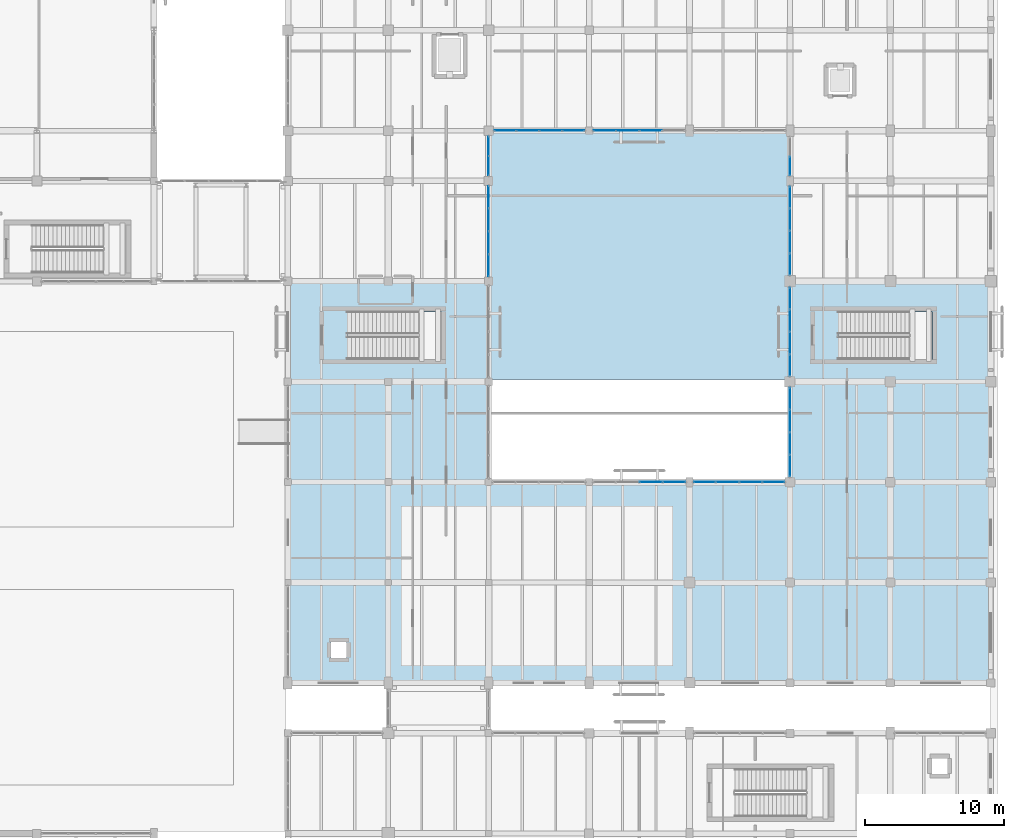
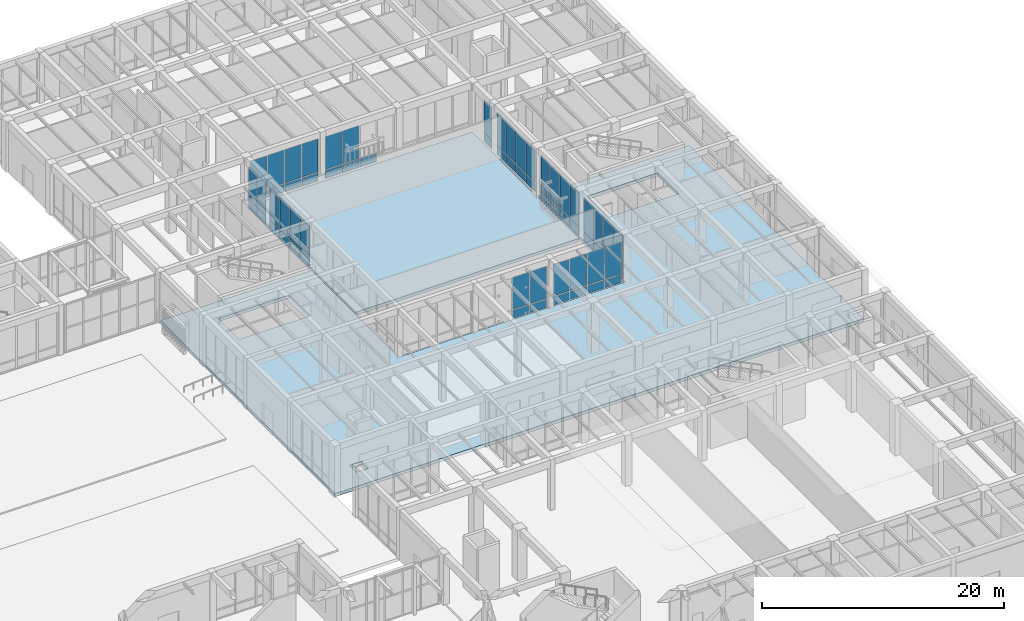
# One storey, part 118 of 169: 63 plates, 2 slabs, 10 elements without a shape of their own.
"""IFC4 building model written with IfcOpenShell, lengths in metres."""

import ifcopenshell
import ifcopenshell.guid

model = None  # the IFC model being written
_history = None  # IfcOwnerHistory: only IFC2X3 demands one
_inside = {}  # id of a spatial element -> (the spatial element, [elements in it])
_under = {}  # id of a project, library or spatial element -> (it, [spatial elements below it])
_declared = {}  # id of a project -> (the project, [libraries it declares])
_typed = {}  # id of a type object -> (the type object, [elements of that type])
_made_of = {}  # id of a material, layer set ... -> (it, [elements and type objects made of it])


def new_model(schema):
    """Start an empty IFC model of exactly this schema.

    Asked for "IFC4X3", IfcOpenShell would pick the latest addendum, in which some entities
    have other attributes; the version numbers below select the first issue.
    IFC2X3 requires an IfcOwnerHistory on every rooted entity: one is made here for all.
    """
    global model, _history
    if schema == "IFC4X3":
        model = ifcopenshell.file(schema_version=(4, 3, 0, 0))
    else:
        model = ifcopenshell.file(schema=schema)
    _inside.clear()
    _under.clear()
    _declared.clear()
    _typed.clear()
    _made_of.clear()
    _history = None
    if model.schema == "IFC2X3":
        org = make("IfcOrganization", Name="unknown")
        user = make(
            "IfcPersonAndOrganization",
            ThePerson=make("IfcPerson", FamilyName="unknown"),
            TheOrganization=org,
        )
        app = make(
            "IfcApplication",
            ApplicationDeveloper=org,
            Version="unknown",
            ApplicationFullName="unknown",
            ApplicationIdentifier="unknown",
        )
        _history = make(
            "IfcOwnerHistory",
            OwningUser=user,
            OwningApplication=app,
            ChangeAction="ADDED",
            CreationDate=0,
        )
    return model


def make(cls, **values):
    """One entity of the class cls with the attributes given. An attribute that is None is left unset."""
    return model.create_entity(
        cls, **{name: value for name, value in values.items() if value is not None}
    )


def rooted(cls, **values):
    """An entity with a GlobalId (a new one), such as an element, a storey or a relation."""
    return make(cls, GlobalId=ifcopenshell.guid.new(), OwnerHistory=_history, **values)


def si_unit(unit_type, name, prefix=None):
    """IfcSIUnit, for example si_unit("LENGTHUNIT", "METRE", prefix="MILLI")."""
    return make("IfcSIUnit", UnitType=unit_type, Prefix=prefix, Name=name)


def assignment(units):
    """IfcUnitAssignment: the units of a project."""
    return None if units is None else make("IfcUnitAssignment", Units=units)


def point(xyz):
    """IfcCartesianPoint."""
    return None if xyz is None else make("IfcCartesianPoint", Coordinates=xyz)


def direction(xyz):
    """IfcDirection."""
    return None if xyz is None else make("IfcDirection", DirectionRatios=xyz)


def frame(location, z_axis=None, x_axis=None):
    """IfcAxis2Placement3D, a coordinate frame: its origin and axes. An axis left out is left unset."""
    return make(
        "IfcAxis2Placement3D",
        Location=point(location),
        Axis=direction(z_axis),
        RefDirection=direction(x_axis),
    )


def frame_2d(location, x_axis=None):
    """IfcAxis2Placement2D, a coordinate frame in the plane: its origin and x axis."""
    return make(
        "IfcAxis2Placement2D", Location=point(location), RefDirection=direction(x_axis)
    )


def origin():
    """The frame at (0, 0, 0) with its axes left unset."""
    return frame((0.0, 0.0, 0.0))


def origin_2d():
    """The frame at (0, 0) in the plane with its x axis left unset."""
    return frame_2d((0.0, 0.0))


def place(relative_to, where):
    """IfcLocalPlacement: puts the frame where relative to a parent placement (None: the world)."""
    return make(
        "IfcLocalPlacement", PlacementRelTo=relative_to, RelativePlacement=where
    )


def context(
    kind, dimensions, precision=None, world=None, true_north=None, identifier=None
):
    """IfcGeometricRepresentationContext, for example the 3D "Model" context."""
    return make(
        "IfcGeometricRepresentationContext",
        ContextIdentifier=identifier,
        ContextType=kind,
        CoordinateSpaceDimension=dimensions,
        Precision=precision,
        WorldCoordinateSystem=world,
        TrueNorth=true_north,
    )


def subcontext(parent, identifier, kind, view, scale=None):
    """IfcGeometricRepresentationSubContext, for example "Body" below "Model"."""
    return make(
        "IfcGeometricRepresentationSubContext",
        ContextIdentifier=identifier,
        ContextType=kind,
        ParentContext=parent,
        TargetScale=scale,
        TargetView=view,
    )


def project(units=None, contexts=None):
    """IfcProject with its units and contexts."""
    return rooted(
        "IfcProject",
        Name="project",
        RepresentationContexts=contexts,
        UnitsInContext=assignment(units),
    )


def spatial(cls, under=None, at=None, **own):
    """A site, building, storey or space (cls), placed at a placement, below another one or the project."""
    s = rooted(cls, ObjectPlacement=at, **own)
    if under is not None:
        _under.setdefault(under.id(), (under, []))[1].append(s)
    return s


def polyline(points):
    """IfcPolyline through the points."""
    return make("IfcPolyline", Points=[point(p) for p in points])


def profile(cls, at=None, kind="AREA", **sizes):
    """A parametric profile (cls). Its sizes go by their IFC names, for example OverallWidth=200.0."""
    return make(cls, ProfileType=kind, Position=at, **sizes)


def rectangle(**sizes):
    """IfcRectangleProfileDef."""
    return profile("IfcRectangleProfileDef", **sizes)


def outline(outer, holes=None, kind="AREA"):
    """IfcArbitraryClosedProfileDef: a profile drawn as a closed curve; with holes, ...WithVoids."""
    if holes is None:
        return make("IfcArbitraryClosedProfileDef", ProfileType=kind, OuterCurve=outer)
    return make(
        "IfcArbitraryProfileDefWithVoids",
        ProfileType=kind,
        OuterCurve=outer,
        InnerCurves=holes,
    )


def extrude(swept, where, along, depth):
    """IfcExtrudedAreaSolid: the profile swept, set in the frame where, extruded along a direction by depth."""
    return make(
        "IfcExtrudedAreaSolid",
        SweptArea=swept,
        Position=where,
        ExtrudedDirection=direction(along),
        Depth=depth,
    )


def shape(context_of_items, identifier, shape_type, items):
    """IfcShapeRepresentation: the items that make up one representation, for example the "Body"."""
    return make(
        "IfcShapeRepresentation",
        ContextOfItems=context_of_items,
        RepresentationIdentifier=identifier,
        RepresentationType=shape_type,
        Items=items,
    )


def material(Name=None, Category=None):
    """IfcMaterial."""
    return make("IfcMaterial", Name=Name, Category=Category)


def layer(
    of_material, thickness, ventilated=None, Name=None, Category=None, Priority=None
):
    """IfcMaterialLayer: one layer of a wall or slab, of a material (None: an air gap)."""
    return make(
        "IfcMaterialLayer",
        Material=of_material,
        LayerThickness=thickness,
        IsVentilated=ventilated,
        Name=Name,
        Category=Category,
        Priority=Priority,
    )


def layer_set(layers, Name=None):
    """IfcMaterialLayerSet."""
    return make("IfcMaterialLayerSet", MaterialLayers=layers, LayerSetName=Name)


def made_of(thing, what):
    """Note that an element or type object is made of a material, layer set ...; save() writes the relation."""
    if what is not None:
        _made_of.setdefault(what.id(), (what, []))[1].append(thing)
    return thing


def type_object(cls, material=None, **own):
    """A type object (cls), such as IfcWallType, which elements share."""
    return made_of(rooted(cls, **own), material)


def element(
    cls,
    number,
    at=None,
    inside=None,
    cuts=None,
    type_object=None,
    material=None,
    context=None,
    identifier="Body",
    shape_type=None,
    held_by="IfcProductDefinitionShape",
    body=None,
    shapes=None,
    **own,
):
    """One element of the class cls, such as IfcWall. Its Tag is "e" and its number.

    at: its placement. inside: the storey or other place that contains it. cuts: it is an
    opening in that element (IfcRelVoidsElement). A single representation is given by context,
    identifier, shape_type and body (its items); several are given by shapes. held_by: the class
    of the entity that holds the representations. save() writes the other relations.
    """
    e = rooted(cls, Tag="e%d" % number, ObjectPlacement=at, **own)
    if body is not None:
        shapes = [shape(context, identifier, shape_type, body)]
    if shapes is not None:
        e.Representation = make(held_by, Representations=shapes)
    if inside is not None:
        _inside.setdefault(inside.id(), (inside, []))[1].append(e)
    if cuts is not None:
        rooted(
            "IfcRelVoidsElement", RelatingBuildingElement=cuts, RelatedOpeningElement=e
        )
    if type_object is not None:
        _typed.setdefault(type_object.id(), (type_object, []))[1].append(e)
    return made_of(e, material)


def aggregate(whole, parts):
    """IfcRelAggregates: a whole, such as a stair, and the parts it consists of."""
    return rooted("IfcRelAggregates", RelatingObject=whole, RelatedObjects=parts)


def save(model, path):
    """Write the relations noted so far, then the file.

    IfcRelAggregates (storeys below a building ...), IfcRelContainedInSpatialStructure (elements
    in a storey), IfcRelDefinesByType, IfcRelAssociatesMaterial and IfcRelDeclares: one each for
    every whole, place, type object, material and project.
    """
    for whole, parts in _under.values():
        aggregate(whole, parts)
    for where, things in _inside.values():
        rooted(
            "IfcRelContainedInSpatialStructure",
            RelatedElements=things,
            RelatingStructure=where,
        )
    for kind, things in _typed.values():
        rooted("IfcRelDefinesByType", RelatedObjects=things, RelatingType=kind)
    for what, things in _made_of.values():
        rooted("IfcRelAssociatesMaterial", RelatedObjects=things, RelatingMaterial=what)
    for by, libraries in _declared.values():
        rooted("IfcRelDeclares", RelatingContext=by, RelatedDefinitions=libraries)
    model.write(path)


model = new_model("IFC4")

# Units and contexts
model_context = context("Model", 3, precision=1e-05, world=origin(), true_north=direction((0.0, 1.0)))
body_context = subcontext(model_context, "Body", "Model", "MODEL_VIEW")
ifc_project = project(units=[si_unit("LENGTHUNIT", "METRE"), si_unit("AREAUNIT", "SQUARE_METRE"), si_unit("VOLUMEUNIT", "CUBIC_METRE"), si_unit("PLANEANGLEUNIT", "RADIAN"), si_unit("MASSUNIT", "GRAM", prefix="KILO")], contexts=[model_context])

# Site, building, storey
site_placement = place(None, origin())
site = spatial("IfcSite", under=ifc_project, at=site_placement, CompositionType="ELEMENT")
building_placement = place(site_placement, origin())
building = spatial("IfcBuilding", under=site, at=building_placement, Name="Mazaris Harbour Polytechnic", CompositionType="ELEMENT")
storey_placement = place(building_placement, origin())
storey = spatial("IfcBuildingStorey", under=building, at=storey_placement, Name="L00", CompositionType="ELEMENT", Elevation=0.0)

# Slabs
ifc_material_1 = material(Name="Concrete C35/45", Category="concrete")
ifc_layer_1 = layer(ifc_material_1, 0.300048828125, Name="Concrete C35/45")
ifc_layer_set_1 = layer_set([ifc_layer_1], Name="Concrete C35/45")
slab_type_1 = type_object("IfcSlabType", Name="RC Podium Slab 300 Exterior", PredefinedType="FLOOR", material=ifc_layer_set_1)
slab_1_placement = place(storey_placement, frame((0.0, 0.0, -0.300048828125)))
element("IfcSlab", 1, at=slab_1_placement, inside=storey, type_object=slab_type_1, Name="V5 Studio Courtyard Paving Slab", PredefinedType="FLOOR", context=body_context, shape_type="SweptSolid", body=[
    extrude(outline(polyline([(158.25, 68.550048828125), (158.25, 86.25), (136.949951171875, 86.25), (136.949951171875, 68.550048828125), (158.25, 68.550048828125)])), origin(), (0.0, 0.0, 1.0), 0.300048828125),
])
ifc_material_2 = material(Name="Concrete C35/45", Category="concrete")
ifc_layer_2 = layer(ifc_material_2, 0.320068359375, Name="Concrete C35/45")
ifc_layer_set_2 = layer_set([ifc_layer_2], Name="Concrete C35/45")
slab_type_2 = type_object("IfcSlabType", Name="RC Podium Slab 320", PredefinedType="FLOOR", material=ifc_layer_set_2)
slab_2_placement = place(storey_placement, frame((0.0, 0.0, -0.320068359375)))
element("IfcSlab", 2, at=slab_2_placement, inside=storey, type_object=slab_type_2, Name="V5 L00 Floor Slab", PredefinedType="FLOOR", context=body_context, shape_type="SweptSolid", body=[
    extrude(outline(polyline([(172.800048828125, 46.800048828125), (122.39990234375, 46.800048828125), (122.39990234375, 75.60009765625), (136.800048828125, 75.60009765625), (136.800048828125, 61.199951171875), (158.39990234375, 61.199951171875), (158.39990234375, 75.60009765625), (172.800048828125, 75.60009765625), (172.800048828125, 46.800048828125)]), holes=[polyline([(126.675048828125, 70.0), (133.39990234375, 70.0), (133.39990234375, 73.449951171875), (126.675048828125, 73.449951171875), (126.675048828125, 70.0)]), polyline([(161.875, 73.449951171875), (161.875, 70.0), (168.60009765625, 70.0), (168.60009765625, 73.449951171875), (161.875, 73.449951171875)]), polyline([(125.5, 48.60009765625), (126.6201171875, 48.60009765625), (126.6201171875, 49.719970703125), (125.5, 49.719970703125), (125.5, 48.60009765625)])]), origin(), (0.0, 0.0, 1.0), 0.320068359375),
])

# Curtain wall, plates
ifc_material_3 = material(Name="Anodised Bronze Aluminium and Low-E Glass", Category="aluminium")
ifc_layer_3 = layer(ifc_material_3, 0.169921875, Name="Anodised Bronze Aluminium and Low-E Glass")
ifc_layer_set_3 = layer_set([ifc_layer_3], Name="Anodised Bronze Aluminium and Low-E Glass")
curtain_wall_type = type_object("IfcCurtainWallType", Name="Studio North-Light Curtain Wall", PredefinedType="NOTDEFINED", material=ifc_layer_set_3)
curtain_wall_1_placement = place(storey_placement, origin())
curtain_wall_1 = element("IfcCurtainWall", 3, at=curtain_wall_1_placement, inside=storey, type_object=curtain_wall_type, Name="V5 L00 Curtain Wall 192", PredefinedType="NOTDEFINED")
ifc_material_4 = material(Name="Solar-Control Low-E Glazing", Category="glass")
ifc_layer_4 = layer(ifc_material_4, 0.031982421875, Name="Solar-Control Low-E Glazing")
ifc_layer_set_4 = layer_set([ifc_layer_4], Name="Solar-Control Low-E Glazing")
plate_type = type_object("IfcPlateType", Name="Solar Control Studio Glass Panel 32", PredefinedType="CURTAIN_PANEL", material=ifc_layer_set_4)
plate_1_placement = place(storey_placement, frame((148.439453125, 61.199951171875, 0.080078125), z_axis=(0.0, 0.0, 1.0), x_axis=(1.0, 0.0, 0.0)))
plate_1 = element("IfcPlate", 4, at=plate_1_placement, type_object=plate_type, Name="CW-03 panel 3.1", PredefinedType="CURTAIN_PANEL", context=body_context, shape_type="SweptSolid", body=[
    extrude(rectangle(XDim=1.59912109375, YDim=0.031982421875, at=origin_2d()), origin(), (0.0, 0.0, 1.0), 0.830078125),
])
plate_2_placement = place(storey_placement, frame((148.439453125, 61.199951171875, 0.989990234375), z_axis=(0.0, 0.0, 1.0), x_axis=(1.0, 0.0, 0.0)))
plate_2 = element("IfcPlate", 5, at=plate_2_placement, type_object=plate_type, Name="CW-03 panel 3.2", PredefinedType="CURTAIN_PANEL", context=body_context, shape_type="SweptSolid", body=[
    extrude(rectangle(XDim=1.59912109375, YDim=0.031982421875, at=origin_2d()), origin(), (0.0, 0.0, 1.0), 3.27001953125),
])
plate_3_placement = place(storey_placement, frame((150.098388671875, 61.199951171875, 0.080078125), z_axis=(0.0, 0.0, 1.0), x_axis=(1.0, 0.0, 0.0)))
plate_3 = element("IfcPlate", 6, at=plate_3_placement, type_object=plate_type, Name="CW-03 panel 4.1", PredefinedType="CURTAIN_PANEL", context=body_context, shape_type="SweptSolid", body=[
    extrude(rectangle(XDim=1.55908203125, YDim=0.031982421875, at=origin_2d()), origin(), (0.0, 0.0, 1.0), 0.830078125),
])
plate_4_placement = place(storey_placement, frame((150.098388671875, 61.199951171875, 0.989990234375), z_axis=(0.0, 0.0, 1.0), x_axis=(1.0, 0.0, 0.0)))
plate_4 = element("IfcPlate", 7, at=plate_4_placement, type_object=plate_type, Name="CW-03 panel 4.2", PredefinedType="CURTAIN_PANEL", context=body_context, shape_type="SweptSolid", body=[
    extrude(rectangle(XDim=1.55908203125, YDim=0.031982421875, at=origin_2d()), origin(), (0.0, 0.0, 1.0), 3.27001953125),
])
aggregate(curtain_wall_1, [plate_1, plate_2, plate_3, plate_4])

curtain_wall_2_placement = place(storey_placement, origin())
curtain_wall_2 = element("IfcCurtainWall", 8, at=curtain_wall_2_placement, inside=storey, type_object=curtain_wall_type, Name="V5 L00 Curtain Wall 193", PredefinedType="NOTDEFINED")
plate_5_placement = place(storey_placement, frame((152.2890625, 61.199951171875, 0.080078125), z_axis=(0.0, 0.0, 1.0), x_axis=(1.0, 0.0, 0.0)))
plate_5 = element("IfcPlate", 9, at=plate_5_placement, type_object=plate_type, Name="CW-03 panel 1.1", PredefinedType="CURTAIN_PANEL", context=body_context, shape_type="SweptSolid", body=[
    extrude(rectangle(XDim=1.533935546875, YDim=0.031982421875, at=origin_2d()), origin(), (0.0, 0.0, 1.0), 0.830078125),
])
plate_6_placement = place(storey_placement, frame((152.2890625, 61.199951171875, 0.990234375), z_axis=(0.0, 0.0, 1.0), x_axis=(1.0, 0.0, 0.0)))
plate_6 = element("IfcPlate", 10, at=plate_6_placement, type_object=plate_type, Name="CW-03 panel 1.2", PredefinedType="CURTAIN_PANEL", context=body_context, shape_type="SweptSolid", body=[
    extrude(rectangle(XDim=1.533935546875, YDim=0.031982421875, at=origin_2d()), origin(), (0.0, 0.0, 1.0), 3.219970703125),
])
plate_7_placement = place(storey_placement, frame((153.923095703125, 61.199951171875, 0.080078125), z_axis=(0.0, 0.0, 1.0), x_axis=(1.0, 0.0, 0.0)))
plate_7 = element("IfcPlate", 11, at=plate_7_placement, type_object=plate_type, Name="CW-03 panel 2.1", PredefinedType="CURTAIN_PANEL", context=body_context, shape_type="SweptSolid", body=[
    extrude(rectangle(XDim=1.573974609375, YDim=0.031982421875, at=origin_2d()), origin(), (0.0, 0.0, 1.0), 0.830078125),
])
plate_8_placement = place(storey_placement, frame((153.923095703125, 61.199951171875, 0.990234375), z_axis=(0.0, 0.0, 1.0), x_axis=(1.0, 0.0, 0.0)))
plate_8 = element("IfcPlate", 12, at=plate_8_placement, type_object=plate_type, Name="CW-03 panel 2.2", PredefinedType="CURTAIN_PANEL", context=body_context, shape_type="SweptSolid", body=[
    extrude(rectangle(XDim=1.573974609375, YDim=0.031982421875, at=origin_2d()), origin(), (0.0, 0.0, 1.0), 3.219970703125),
])
plate_9_placement = place(storey_placement, frame((155.576904296875, 61.199951171875, 0.080078125), z_axis=(0.0, 0.0, 1.0), x_axis=(1.0, 0.0, 0.0)))
plate_9 = element("IfcPlate", 13, at=plate_9_placement, type_object=plate_type, Name="CW-03 panel 3.1", PredefinedType="CURTAIN_PANEL", context=body_context, shape_type="SweptSolid", body=[
    extrude(rectangle(XDim=1.573974609375, YDim=0.031982421875, at=origin_2d()), origin(), (0.0, 0.0, 1.0), 0.830078125),
])
plate_10_placement = place(storey_placement, frame((155.576904296875, 61.199951171875, 0.990234375), z_axis=(0.0, 0.0, 1.0), x_axis=(1.0, 0.0, 0.0)))
plate_10 = element("IfcPlate", 14, at=plate_10_placement, type_object=plate_type, Name="CW-03 panel 3.2", PredefinedType="CURTAIN_PANEL", context=body_context, shape_type="SweptSolid", body=[
    extrude(rectangle(XDim=1.573974609375, YDim=0.031982421875, at=origin_2d()), origin(), (0.0, 0.0, 1.0), 3.219970703125),
])
plate_11_placement = place(storey_placement, frame((157.2109375, 61.199951171875, 0.080078125), z_axis=(0.0, 0.0, 1.0), x_axis=(1.0, 0.0, 0.0)))
plate_11 = element("IfcPlate", 15, at=plate_11_placement, type_object=plate_type, Name="CW-03 panel 4.1", PredefinedType="CURTAIN_PANEL", context=body_context, shape_type="SweptSolid", body=[
    extrude(rectangle(XDim=1.533935546875, YDim=0.031982421875, at=origin_2d()), origin(), (0.0, 0.0, 1.0), 0.830078125),
])
plate_12_placement = place(storey_placement, frame((157.2109375, 61.199951171875, 0.990234375), z_axis=(0.0, 0.0, 1.0), x_axis=(1.0, 0.0, 0.0)))
plate_12 = element("IfcPlate", 16, at=plate_12_placement, type_object=plate_type, Name="CW-03 panel 4.2", PredefinedType="CURTAIN_PANEL", context=body_context, shape_type="SweptSolid", body=[
    extrude(rectangle(XDim=1.533935546875, YDim=0.031982421875, at=origin_2d()), origin(), (0.0, 0.0, 1.0), 3.219970703125),
])
aggregate(curtain_wall_2, [plate_5, plate_6, plate_7, plate_8, plate_9, plate_10, plate_11, plate_12])

curtain_wall_3_placement = place(storey_placement, origin())
curtain_wall_3 = element("IfcCurtainWall", 17, at=curtain_wall_3_placement, inside=storey, type_object=curtain_wall_type, Name="V5 L00 Curtain Wall 194", PredefinedType="NOTDEFINED")
plate_13_placement = place(storey_placement, frame((142.88916015625, 86.39990234375, 0.080078125), z_axis=(0.0, 0.0, 1.0), x_axis=(-1.0, 0.0, 0.0)))
plate_13 = element("IfcPlate", 18, at=plate_13_placement, type_object=plate_type, Name="CW-03 panel 1.1", PredefinedType="CURTAIN_PANEL", context=body_context, shape_type="SweptSolid", body=[
    extrude(rectangle(XDim=1.52783203125, YDim=0.031982421875, at=origin_2d()), origin(), (0.0, 0.0, 1.0), 0.830078125),
])
plate_14_placement = place(storey_placement, frame((142.88916015625, 86.39990234375, 0.989990234375), z_axis=(0.0, 0.0, 1.0), x_axis=(-1.0, 0.0, 0.0)))
plate_14 = element("IfcPlate", 19, at=plate_14_placement, type_object=plate_type, Name="CW-03 panel 1.2", PredefinedType="CURTAIN_PANEL", context=body_context, shape_type="SweptSolid", body=[
    extrude(rectangle(XDim=1.52783203125, YDim=0.031982421875, at=origin_2d()), origin(), (0.0, 0.0, 1.0), 3.3701171875),
])
plate_15_placement = place(storey_placement, frame((141.261474609375, 86.39990234375, 0.080078125), z_axis=(0.0, 0.0, 1.0), x_axis=(-1.0, 0.0, 0.0)))
plate_15 = element("IfcPlate", 20, at=plate_15_placement, type_object=plate_type, Name="CW-03 panel 2.1", PredefinedType="CURTAIN_PANEL", context=body_context, shape_type="SweptSolid", body=[
    extrude(rectangle(XDim=1.56787109375, YDim=0.031982421875, at=origin_2d()), origin(), (0.0, 0.0, 1.0), 0.830078125),
])
plate_16_placement = place(storey_placement, frame((141.261474609375, 86.39990234375, 0.989990234375), z_axis=(0.0, 0.0, 1.0), x_axis=(-1.0, 0.0, 0.0)))
plate_16 = element("IfcPlate", 21, at=plate_16_placement, type_object=plate_type, Name="CW-03 panel 2.2", PredefinedType="CURTAIN_PANEL", context=body_context, shape_type="SweptSolid", body=[
    extrude(rectangle(XDim=1.56787109375, YDim=0.031982421875, at=origin_2d()), origin(), (0.0, 0.0, 1.0), 3.3701171875),
])
plate_17_placement = place(storey_placement, frame((139.613525390625, 86.39990234375, 0.080078125), z_axis=(0.0, 0.0, 1.0), x_axis=(-1.0, 0.0, 0.0)))
plate_17 = element("IfcPlate", 22, at=plate_17_placement, type_object=plate_type, Name="CW-03 panel 3.1", PredefinedType="CURTAIN_PANEL", context=body_context, shape_type="SweptSolid", body=[
    extrude(rectangle(XDim=1.56787109375, YDim=0.031982421875, at=origin_2d()), origin(), (0.0, 0.0, 1.0), 0.830078125),
])
plate_18_placement = place(storey_placement, frame((139.613525390625, 86.39990234375, 0.989990234375), z_axis=(0.0, 0.0, 1.0), x_axis=(-1.0, 0.0, 0.0)))
plate_18 = element("IfcPlate", 23, at=plate_18_placement, type_object=plate_type, Name="CW-03 panel 3.2", PredefinedType="CURTAIN_PANEL", context=body_context, shape_type="SweptSolid", body=[
    extrude(rectangle(XDim=1.56787109375, YDim=0.031982421875, at=origin_2d()), origin(), (0.0, 0.0, 1.0), 3.3701171875),
])
plate_19_placement = place(storey_placement, frame((137.98583984375, 86.39990234375, 0.080078125), z_axis=(0.0, 0.0, 1.0), x_axis=(-1.0, 0.0, 0.0)))
plate_19 = element("IfcPlate", 24, at=plate_19_placement, type_object=plate_type, Name="CW-03 panel 4.1", PredefinedType="CURTAIN_PANEL", context=body_context, shape_type="SweptSolid", body=[
    extrude(rectangle(XDim=1.52783203125, YDim=0.031982421875, at=origin_2d()), origin(), (0.0, 0.0, 1.0), 0.830078125),
])
plate_20_placement = place(storey_placement, frame((137.98583984375, 86.39990234375, 0.989990234375), z_axis=(0.0, 0.0, 1.0), x_axis=(-1.0, 0.0, 0.0)))
plate_20 = element("IfcPlate", 25, at=plate_20_placement, type_object=plate_type, Name="CW-03 panel 4.2", PredefinedType="CURTAIN_PANEL", context=body_context, shape_type="SweptSolid", body=[
    extrude(rectangle(XDim=1.52783203125, YDim=0.031982421875, at=origin_2d()), origin(), (0.0, 0.0, 1.0), 3.3701171875),
])
aggregate(curtain_wall_3, [plate_13, plate_14, plate_15, plate_16, plate_17, plate_18, plate_19, plate_20])

curtain_wall_4_placement = place(storey_placement, origin())
curtain_wall_4 = element("IfcCurtainWall", 26, at=curtain_wall_4_placement, inside=storey, type_object=curtain_wall_type, Name="V5 L00 Curtain Wall 195", PredefinedType="NOTDEFINED")
plate_21_placement = place(storey_placement, frame((148.417724609375, 86.39990234375, 0.080078125), z_axis=(0.0, 0.0, 1.0), x_axis=(-1.0, 0.0, 0.0)))
plate_21 = element("IfcPlate", 27, at=plate_21_placement, type_object=plate_type, Name="CW-03 panel 2.1", PredefinedType="CURTAIN_PANEL", context=body_context, shape_type="SweptSolid", body=[
    extrude(rectangle(XDim=1.580322265625, YDim=0.031982421875, at=origin_2d()), origin(), (0.0, 0.0, 1.0), 0.830078125),
])
plate_22_placement = place(storey_placement, frame((146.75732421875, 86.39990234375, 0.080078125), z_axis=(0.0, 0.0, 1.0), x_axis=(-1.0, 0.0, 0.0)))
plate_22 = element("IfcPlate", 28, at=plate_22_placement, type_object=plate_type, Name="CW-03 panel 3.1", PredefinedType="CURTAIN_PANEL", context=body_context, shape_type="SweptSolid", body=[
    extrude(rectangle(XDim=1.580322265625, YDim=0.031982421875, at=origin_2d()), origin(), (0.0, 0.0, 1.0), 0.830078125),
])
plate_23_placement = place(storey_placement, frame((146.75732421875, 86.39990234375, 0.98974609375), z_axis=(0.0, 0.0, 1.0), x_axis=(-1.0, 0.0, 0.0)))
plate_23 = element("IfcPlate", 29, at=plate_23_placement, type_object=plate_type, Name="CW-03 panel 3.2", PredefinedType="CURTAIN_PANEL", context=body_context, shape_type="SweptSolid", body=[
    extrude(rectangle(XDim=1.580322265625, YDim=0.031982421875, at=origin_2d()), origin(), (0.0, 0.0, 1.0), 3.320068359375),
])
plate_24_placement = place(storey_placement, frame((145.1171875, 86.39990234375, 0.080078125), z_axis=(0.0, 0.0, 1.0), x_axis=(-1.0, 0.0, 0.0)))
plate_24 = element("IfcPlate", 30, at=plate_24_placement, type_object=plate_type, Name="CW-03 panel 4.1", PredefinedType="CURTAIN_PANEL", context=body_context, shape_type="SweptSolid", body=[
    extrude(rectangle(XDim=1.540283203125, YDim=0.031982421875, at=origin_2d()), origin(), (0.0, 0.0, 1.0), 0.830078125),
])
plate_25_placement = place(storey_placement, frame((145.1171875, 86.39990234375, 0.98974609375), z_axis=(0.0, 0.0, 1.0), x_axis=(-1.0, 0.0, 0.0)))
plate_25 = element("IfcPlate", 31, at=plate_25_placement, type_object=plate_type, Name="CW-03 panel 4.2", PredefinedType="CURTAIN_PANEL", context=body_context, shape_type="SweptSolid", body=[
    extrude(rectangle(XDim=1.540283203125, YDim=0.031982421875, at=origin_2d()), origin(), (0.0, 0.0, 1.0), 3.320068359375),
])
aggregate(curtain_wall_4, [plate_21, plate_22, plate_23, plate_24, plate_25])

curtain_wall_5_placement = place(storey_placement, origin())
curtain_wall_5 = element("IfcCurtainWall", 32, at=curtain_wall_5_placement, inside=storey, type_object=curtain_wall_type, Name="V5 L00 Curtain Wall 199", PredefinedType="NOTDEFINED")
plate_26_placement = place(storey_placement, frame((136.800048828125, 76.73583984375, 0.080078125), z_axis=(0.0, 0.0, 1.0), x_axis=(0.0, 1.0, 0.0)))
plate_26 = element("IfcPlate", 33, at=plate_26_placement, type_object=plate_type, Name="CW-03 panel 1.1", PredefinedType="CURTAIN_PANEL", context=body_context, shape_type="SweptSolid", body=[
    extrude(rectangle(XDim=1.52783203125, YDim=0.031982421875, at=origin_2d()), origin(), (0.0, 0.0, 1.0), 0.830078125),
])
plate_27_placement = place(storey_placement, frame((136.800048828125, 76.73583984375, 0.989990234375), z_axis=(0.0, 0.0, 1.0), x_axis=(0.0, 1.0, 0.0)))
plate_27 = element("IfcPlate", 34, at=plate_27_placement, type_object=plate_type, Name="CW-03 panel 1.2", PredefinedType="CURTAIN_PANEL", context=body_context, shape_type="SweptSolid", body=[
    extrude(rectangle(XDim=1.52783203125, YDim=0.031982421875, at=origin_2d()), origin(), (0.0, 0.0, 1.0), 3.27001953125),
])
plate_28_placement = place(storey_placement, frame((136.800048828125, 78.363525390625, 0.080078125), z_axis=(0.0, 0.0, 1.0), x_axis=(0.0, 1.0, 0.0)))
plate_28 = element("IfcPlate", 35, at=plate_28_placement, type_object=plate_type, Name="CW-03 panel 2.1", PredefinedType="CURTAIN_PANEL", context=body_context, shape_type="SweptSolid", body=[
    extrude(rectangle(XDim=1.56787109375, YDim=0.031982421875, at=origin_2d()), origin(), (0.0, 0.0, 1.0), 0.830078125),
])
plate_29_placement = place(storey_placement, frame((136.800048828125, 78.363525390625, 0.989990234375), z_axis=(0.0, 0.0, 1.0), x_axis=(0.0, 1.0, 0.0)))
plate_29 = element("IfcPlate", 36, at=plate_29_placement, type_object=plate_type, Name="CW-03 panel 2.2", PredefinedType="CURTAIN_PANEL", context=body_context, shape_type="SweptSolid", body=[
    extrude(rectangle(XDim=1.56787109375, YDim=0.031982421875, at=origin_2d()), origin(), (0.0, 0.0, 1.0), 3.27001953125),
])
plate_30_placement = place(storey_placement, frame((136.800048828125, 80.011474609375, 0.080078125), z_axis=(0.0, 0.0, 1.0), x_axis=(0.0, 1.0, 0.0)))
plate_30 = element("IfcPlate", 37, at=plate_30_placement, type_object=plate_type, Name="CW-03 panel 3.1", PredefinedType="CURTAIN_PANEL", context=body_context, shape_type="SweptSolid", body=[
    extrude(rectangle(XDim=1.56787109375, YDim=0.031982421875, at=origin_2d()), origin(), (0.0, 0.0, 1.0), 0.830078125),
])
plate_31_placement = place(storey_placement, frame((136.800048828125, 80.011474609375, 0.989990234375), z_axis=(0.0, 0.0, 1.0), x_axis=(0.0, 1.0, 0.0)))
plate_31 = element("IfcPlate", 38, at=plate_31_placement, type_object=plate_type, Name="CW-03 panel 3.2", PredefinedType="CURTAIN_PANEL", context=body_context, shape_type="SweptSolid", body=[
    extrude(rectangle(XDim=1.56787109375, YDim=0.031982421875, at=origin_2d()), origin(), (0.0, 0.0, 1.0), 3.27001953125),
])
plate_32_placement = place(storey_placement, frame((136.800048828125, 81.63916015625, 0.080078125), z_axis=(0.0, 0.0, 1.0), x_axis=(0.0, 1.0, 0.0)))
plate_32 = element("IfcPlate", 39, at=plate_32_placement, type_object=plate_type, Name="CW-03 panel 4.1", PredefinedType="CURTAIN_PANEL", context=body_context, shape_type="SweptSolid", body=[
    extrude(rectangle(XDim=1.52783203125, YDim=0.031982421875, at=origin_2d()), origin(), (0.0, 0.0, 1.0), 0.830078125),
])
plate_33_placement = place(storey_placement, frame((136.800048828125, 81.63916015625, 0.989990234375), z_axis=(0.0, 0.0, 1.0), x_axis=(0.0, 1.0, 0.0)))
plate_33 = element("IfcPlate", 40, at=plate_33_placement, type_object=plate_type, Name="CW-03 panel 4.2", PredefinedType="CURTAIN_PANEL", context=body_context, shape_type="SweptSolid", body=[
    extrude(rectangle(XDim=1.52783203125, YDim=0.031982421875, at=origin_2d()), origin(), (0.0, 0.0, 1.0), 3.27001953125),
])
aggregate(curtain_wall_5, [plate_26, plate_27, plate_28, plate_29, plate_30, plate_31, plate_32, plate_33])

curtain_wall_6_placement = place(storey_placement, origin())
curtain_wall_6 = element("IfcCurtainWall", 41, at=curtain_wall_6_placement, inside=storey, type_object=curtain_wall_type, Name="V5 L00 Curtain Wall 200", PredefinedType="NOTDEFINED")
plate_34_placement = place(storey_placement, frame((136.800048828125, 83.872314453125, 0.080078125), z_axis=(0.0, 0.0, 1.0), x_axis=(0.0, 1.0, 0.0)))
plate_34 = element("IfcPlate", 42, at=plate_34_placement, type_object=plate_type, Name="CW-03 panel 1.1", PredefinedType="CURTAIN_PANEL", context=body_context, shape_type="SweptSolid", body=[
    extrude(rectangle(XDim=1.3505859375, YDim=0.031982421875, at=origin_2d()), origin(), (0.0, 0.0, 1.0), 0.830078125),
])
plate_35_placement = place(storey_placement, frame((136.800048828125, 83.872314453125, 0.990234375), z_axis=(0.0, 0.0, 1.0), x_axis=(0.0, 1.0, 0.0)))
plate_35 = element("IfcPlate", 43, at=plate_35_placement, type_object=plate_type, Name="CW-03 panel 1.2", PredefinedType="CURTAIN_PANEL", context=body_context, shape_type="SweptSolid", body=[
    extrude(rectangle(XDim=1.3505859375, YDim=0.031982421875, at=origin_2d()), origin(), (0.0, 0.0, 1.0), 3.219970703125),
])
plate_36_placement = place(storey_placement, frame((136.800048828125, 85.302734375, 0.080078125), z_axis=(0.0, 0.0, 1.0), x_axis=(0.0, 1.0, 0.0)))
plate_36 = element("IfcPlate", 44, at=plate_36_placement, type_object=plate_type, Name="CW-03 panel 2.1", PredefinedType="CURTAIN_PANEL", context=body_context, shape_type="SweptSolid", body=[
    extrude(rectangle(XDim=1.3505859375, YDim=0.031982421875, at=origin_2d()), origin(), (0.0, 0.0, 1.0), 0.830078125),
])
plate_37_placement = place(storey_placement, frame((136.800048828125, 85.302734375, 0.990234375), z_axis=(0.0, 0.0, 1.0), x_axis=(0.0, 1.0, 0.0)))
plate_37 = element("IfcPlate", 45, at=plate_37_placement, type_object=plate_type, Name="CW-03 panel 2.2", PredefinedType="CURTAIN_PANEL", context=body_context, shape_type="SweptSolid", body=[
    extrude(rectangle(XDim=1.3505859375, YDim=0.031982421875, at=origin_2d()), origin(), (0.0, 0.0, 1.0), 3.219970703125),
])
aggregate(curtain_wall_6, [plate_34, plate_35, plate_36, plate_37])

curtain_wall_7_placement = place(storey_placement, origin())
curtain_wall_7 = element("IfcCurtainWall", 46, at=curtain_wall_7_placement, inside=storey, type_object=curtain_wall_type, Name="V5 L00 Curtain Wall 201", PredefinedType="NOTDEFINED")
plate_38_placement = place(storey_placement, frame((158.39990234375, 67.20166015625, 0.080078125), z_axis=(0.0, 0.0, 1.0), x_axis=(0.0, -1.0, 0.0)))
plate_38 = element("IfcPlate", 47, at=plate_38_placement, type_object=plate_type, Name="CW-03 panel 1.1", PredefinedType="CURTAIN_PANEL", context=body_context, shape_type="SweptSolid", body=[
    extrude(rectangle(XDim=1.502685546875, YDim=0.031982421875, at=origin_2d()), origin(), (0.0, 0.0, 1.0), 0.830078125),
])
plate_39_placement = place(storey_placement, frame((158.39990234375, 67.20166015625, 0.989990234375), z_axis=(0.0, 0.0, 1.0), x_axis=(0.0, -1.0, 0.0)))
plate_39 = element("IfcPlate", 48, at=plate_39_placement, type_object=plate_type, Name="CW-03 panel 1.2", PredefinedType="CURTAIN_PANEL", context=body_context, shape_type="SweptSolid", body=[
    extrude(rectangle(XDim=1.502685546875, YDim=0.031982421875, at=origin_2d()), origin(), (0.0, 0.0, 1.0), 3.419921875),
])
plate_40_placement = place(storey_placement, frame((158.39990234375, 65.598876953125, 0.080078125), z_axis=(0.0, 0.0, 1.0), x_axis=(0.0, -1.0, 0.0)))
plate_40 = element("IfcPlate", 49, at=plate_40_placement, type_object=plate_type, Name="CW-03 panel 2.1", PredefinedType="CURTAIN_PANEL", context=body_context, shape_type="SweptSolid", body=[
    extrude(rectangle(XDim=1.542724609375, YDim=0.031982421875, at=origin_2d()), origin(), (0.0, 0.0, 1.0), 0.830078125),
])
plate_41_placement = place(storey_placement, frame((158.39990234375, 65.598876953125, 0.989990234375), z_axis=(0.0, 0.0, 1.0), x_axis=(0.0, -1.0, 0.0)))
plate_41 = element("IfcPlate", 50, at=plate_41_placement, type_object=plate_type, Name="CW-03 panel 2.2", PredefinedType="CURTAIN_PANEL", context=body_context, shape_type="SweptSolid", body=[
    extrude(rectangle(XDim=1.542724609375, YDim=0.031982421875, at=origin_2d()), origin(), (0.0, 0.0, 1.0), 3.419921875),
])
plate_42_placement = place(storey_placement, frame((158.39990234375, 63.97607421875, 0.080078125), z_axis=(0.0, 0.0, 1.0), x_axis=(0.0, -1.0, 0.0)))
plate_42 = element("IfcPlate", 51, at=plate_42_placement, type_object=plate_type, Name="CW-03 panel 3.1", PredefinedType="CURTAIN_PANEL", context=body_context, shape_type="SweptSolid", body=[
    extrude(rectangle(XDim=1.542724609375, YDim=0.031982421875, at=origin_2d()), origin(), (0.0, 0.0, 1.0), 0.830078125),
])
plate_43_placement = place(storey_placement, frame((158.39990234375, 63.97607421875, 0.989990234375), z_axis=(0.0, 0.0, 1.0), x_axis=(0.0, -1.0, 0.0)))
plate_43 = element("IfcPlate", 52, at=plate_43_placement, type_object=plate_type, Name="CW-03 panel 3.2", PredefinedType="CURTAIN_PANEL", context=body_context, shape_type="SweptSolid", body=[
    extrude(rectangle(XDim=1.542724609375, YDim=0.031982421875, at=origin_2d()), origin(), (0.0, 0.0, 1.0), 3.419921875),
])
plate_44_placement = place(storey_placement, frame((158.39990234375, 62.373291015625, 0.080078125), z_axis=(0.0, 0.0, 1.0), x_axis=(0.0, -1.0, 0.0)))
plate_44 = element("IfcPlate", 53, at=plate_44_placement, type_object=plate_type, Name="CW-03 panel 4.1", PredefinedType="CURTAIN_PANEL", context=body_context, shape_type="SweptSolid", body=[
    extrude(rectangle(XDim=1.502685546875, YDim=0.031982421875, at=origin_2d()), origin(), (0.0, 0.0, 1.0), 0.830078125),
])
plate_45_placement = place(storey_placement, frame((158.39990234375, 62.373291015625, 0.989990234375), z_axis=(0.0, 0.0, 1.0), x_axis=(0.0, -1.0, 0.0)))
plate_45 = element("IfcPlate", 54, at=plate_45_placement, type_object=plate_type, Name="CW-03 panel 4.2", PredefinedType="CURTAIN_PANEL", context=body_context, shape_type="SweptSolid", body=[
    extrude(rectangle(XDim=1.502685546875, YDim=0.031982421875, at=origin_2d()), origin(), (0.0, 0.0, 1.0), 3.419921875),
])
aggregate(curtain_wall_7, [plate_38, plate_39, plate_40, plate_41, plate_42, plate_43, plate_44, plate_45])

curtain_wall_8_placement = place(storey_placement, origin())
curtain_wall_8 = element("IfcCurtainWall", 55, at=curtain_wall_8_placement, inside=storey, type_object=curtain_wall_type, Name="V5 L00 Curtain Wall 202", PredefinedType="NOTDEFINED")
plate_46_placement = place(storey_placement, frame((158.39990234375, 74.3828125, 0.080078125), z_axis=(0.0, 0.0, 1.0), x_axis=(0.0, -1.0, 0.0)))
plate_46 = element("IfcPlate", 56, at=plate_46_placement, type_object=plate_type, Name="CW-03 panel 1.1", PredefinedType="CURTAIN_PANEL", context=body_context, shape_type="SweptSolid", body=[
    extrude(rectangle(XDim=1.490234375, YDim=0.031982421875, at=origin_2d()), origin(), (0.0, 0.0, 1.0), 0.830078125),
])
plate_47_placement = place(storey_placement, frame((158.39990234375, 74.3828125, 0.989990234375), z_axis=(0.0, 0.0, 1.0), x_axis=(0.0, -1.0, 0.0)))
plate_47 = element("IfcPlate", 57, at=plate_47_placement, type_object=plate_type, Name="CW-03 panel 1.2", PredefinedType="CURTAIN_PANEL", context=body_context, shape_type="SweptSolid", body=[
    extrude(rectangle(XDim=1.490234375, YDim=0.031982421875, at=origin_2d()), origin(), (0.0, 0.0, 1.0), 3.3701171875),
])
plate_48_placement = place(storey_placement, frame((158.39990234375, 72.792724609375, 0.080078125), z_axis=(0.0, 0.0, 1.0), x_axis=(0.0, -1.0, 0.0)))
plate_48 = element("IfcPlate", 58, at=plate_48_placement, type_object=plate_type, Name="CW-03 panel 2.1", PredefinedType="CURTAIN_PANEL", context=body_context, shape_type="SweptSolid", body=[
    extrude(rectangle(XDim=1.5302734375, YDim=0.031982421875, at=origin_2d()), origin(), (0.0, 0.0, 1.0), 0.830078125),
])
plate_49_placement = place(storey_placement, frame((158.39990234375, 72.792724609375, 0.989990234375), z_axis=(0.0, 0.0, 1.0), x_axis=(0.0, -1.0, 0.0)))
plate_49 = element("IfcPlate", 59, at=plate_49_placement, type_object=plate_type, Name="CW-03 panel 2.2", PredefinedType="CURTAIN_PANEL", context=body_context, shape_type="SweptSolid", body=[
    extrude(rectangle(XDim=1.5302734375, YDim=0.031982421875, at=origin_2d()), origin(), (0.0, 0.0, 1.0), 3.3701171875),
])
plate_50_placement = place(storey_placement, frame((158.39990234375, 71.182373046875, 0.080078125), z_axis=(0.0, 0.0, 1.0), x_axis=(0.0, -1.0, 0.0)))
plate_50 = element("IfcPlate", 60, at=plate_50_placement, type_object=plate_type, Name="CW-03 panel 3.1", PredefinedType="CURTAIN_PANEL", context=body_context, shape_type="SweptSolid", body=[
    extrude(rectangle(XDim=1.5302734375, YDim=0.031982421875, at=origin_2d()), origin(), (0.0, 0.0, 1.0), 0.830078125),
])
plate_51_placement = place(storey_placement, frame((158.39990234375, 71.182373046875, 0.989990234375), z_axis=(0.0, 0.0, 1.0), x_axis=(0.0, -1.0, 0.0)))
plate_51 = element("IfcPlate", 61, at=plate_51_placement, type_object=plate_type, Name="CW-03 panel 3.2", PredefinedType="CURTAIN_PANEL", context=body_context, shape_type="SweptSolid", body=[
    extrude(rectangle(XDim=1.5302734375, YDim=0.031982421875, at=origin_2d()), origin(), (0.0, 0.0, 1.0), 3.3701171875),
])
plate_52_placement = place(storey_placement, frame((158.39990234375, 69.592041015625, 0.080078125), z_axis=(0.0, 0.0, 1.0), x_axis=(0.0, -1.0, 0.0)))
plate_52 = element("IfcPlate", 62, at=plate_52_placement, type_object=plate_type, Name="CW-03 panel 4.1", PredefinedType="CURTAIN_PANEL", context=body_context, shape_type="SweptSolid", body=[
    extrude(rectangle(XDim=1.490234375, YDim=0.031982421875, at=origin_2d()), origin(), (0.0, 0.0, 1.0), 0.830078125),
])
plate_53_placement = place(storey_placement, frame((158.39990234375, 69.592041015625, 0.989990234375), z_axis=(0.0, 0.0, 1.0), x_axis=(0.0, -1.0, 0.0)))
plate_53 = element("IfcPlate", 63, at=plate_53_placement, type_object=plate_type, Name="CW-03 panel 4.2", PredefinedType="CURTAIN_PANEL", context=body_context, shape_type="SweptSolid", body=[
    extrude(rectangle(XDim=1.490234375, YDim=0.031982421875, at=origin_2d()), origin(), (0.0, 0.0, 1.0), 3.3701171875),
])
aggregate(curtain_wall_8, [plate_46, plate_47, plate_48, plate_49, plate_50, plate_51, plate_52, plate_53])

curtain_wall_9_placement = place(storey_placement, origin())
curtain_wall_9 = element("IfcCurtainWall", 64, at=curtain_wall_9_placement, inside=storey, type_object=curtain_wall_type, Name="V5 L00 Curtain Wall 203", PredefinedType="NOTDEFINED")
plate_54_placement = place(storey_placement, frame((158.39990234375, 81.629638671875, 0.080078125), z_axis=(0.0, 0.0, 1.0), x_axis=(0.0, -1.0, 0.0)))
plate_54 = element("IfcPlate", 65, at=plate_54_placement, type_object=plate_type, Name="CW-03 panel 1.1", PredefinedType="CURTAIN_PANEL", context=body_context, shape_type="SweptSolid", body=[
    extrude(rectangle(XDim=1.49658203125, YDim=0.031982421875, at=origin_2d()), origin(), (0.0, 0.0, 1.0), 0.830078125),
])
plate_55_placement = place(storey_placement, frame((158.39990234375, 81.629638671875, 0.98974609375), z_axis=(0.0, 0.0, 1.0), x_axis=(0.0, -1.0, 0.0)))
plate_55 = element("IfcPlate", 66, at=plate_55_placement, type_object=plate_type, Name="CW-03 panel 1.2", PredefinedType="CURTAIN_PANEL", context=body_context, shape_type="SweptSolid", body=[
    extrude(rectangle(XDim=1.49658203125, YDim=0.031982421875, at=origin_2d()), origin(), (0.0, 0.0, 1.0), 3.320068359375),
])
plate_56_placement = place(storey_placement, frame((158.39990234375, 80.033203125, 0.080078125), z_axis=(0.0, 0.0, 1.0), x_axis=(0.0, -1.0, 0.0)))
plate_56 = element("IfcPlate", 67, at=plate_56_placement, type_object=plate_type, Name="CW-03 panel 2.1", PredefinedType="CURTAIN_PANEL", context=body_context, shape_type="SweptSolid", body=[
    extrude(rectangle(XDim=1.53662109375, YDim=0.031982421875, at=origin_2d()), origin(), (0.0, 0.0, 1.0), 0.830078125),
])
plate_57_placement = place(storey_placement, frame((158.39990234375, 80.033203125, 0.98974609375), z_axis=(0.0, 0.0, 1.0), x_axis=(0.0, -1.0, 0.0)))
plate_57 = element("IfcPlate", 68, at=plate_57_placement, type_object=plate_type, Name="CW-03 panel 2.2", PredefinedType="CURTAIN_PANEL", context=body_context, shape_type="SweptSolid", body=[
    extrude(rectangle(XDim=1.53662109375, YDim=0.031982421875, at=origin_2d()), origin(), (0.0, 0.0, 1.0), 3.320068359375),
])
plate_58_placement = place(storey_placement, frame((158.39990234375, 78.416748046875, 0.080078125), z_axis=(0.0, 0.0, 1.0), x_axis=(0.0, -1.0, 0.0)))
plate_58 = element("IfcPlate", 69, at=plate_58_placement, type_object=plate_type, Name="CW-03 panel 3.1", PredefinedType="CURTAIN_PANEL", context=body_context, shape_type="SweptSolid", body=[
    extrude(rectangle(XDim=1.53662109375, YDim=0.031982421875, at=origin_2d()), origin(), (0.0, 0.0, 1.0), 0.830078125),
])
plate_59_placement = place(storey_placement, frame((158.39990234375, 78.416748046875, 0.98974609375), z_axis=(0.0, 0.0, 1.0), x_axis=(0.0, -1.0, 0.0)))
plate_59 = element("IfcPlate", 70, at=plate_59_placement, type_object=plate_type, Name="CW-03 panel 3.2", PredefinedType="CURTAIN_PANEL", context=body_context, shape_type="SweptSolid", body=[
    extrude(rectangle(XDim=1.53662109375, YDim=0.031982421875, at=origin_2d()), origin(), (0.0, 0.0, 1.0), 3.320068359375),
])
plate_60_placement = place(storey_placement, frame((158.39990234375, 76.8203125, 0.080078125), z_axis=(0.0, 0.0, 1.0), x_axis=(0.0, -1.0, 0.0)))
plate_60 = element("IfcPlate", 71, at=plate_60_placement, type_object=plate_type, Name="CW-03 panel 4.1", PredefinedType="CURTAIN_PANEL", context=body_context, shape_type="SweptSolid", body=[
    extrude(rectangle(XDim=1.49658203125, YDim=0.031982421875, at=origin_2d()), origin(), (0.0, 0.0, 1.0), 0.830078125),
])
plate_61_placement = place(storey_placement, frame((158.39990234375, 76.8203125, 0.98974609375), z_axis=(0.0, 0.0, 1.0), x_axis=(0.0, -1.0, 0.0)))
plate_61 = element("IfcPlate", 72, at=plate_61_placement, type_object=plate_type, Name="CW-03 panel 4.2", PredefinedType="CURTAIN_PANEL", context=body_context, shape_type="SweptSolid", body=[
    extrude(rectangle(XDim=1.49658203125, YDim=0.031982421875, at=origin_2d()), origin(), (0.0, 0.0, 1.0), 3.320068359375),
])
aggregate(curtain_wall_9, [plate_54, plate_55, plate_56, plate_57, plate_58, plate_59, plate_60, plate_61])

curtain_wall_10_placement = place(storey_placement, origin())
curtain_wall_10 = element("IfcCurtainWall", 73, at=curtain_wall_10_placement, inside=storey, type_object=curtain_wall_type, Name="V5 L00 Curtain Wall 204", PredefinedType="NOTDEFINED")
plate_62_placement = place(storey_placement, frame((158.39990234375, 83.872314453125, 0.080078125), z_axis=(0.0, 0.0, 1.0), x_axis=(0.0, -1.0, 0.0)))
plate_62 = element("IfcPlate", 74, at=plate_62_placement, type_object=plate_type, Name="CW-03 panel 2.1", PredefinedType="CURTAIN_PANEL", context=body_context, shape_type="SweptSolid", body=[
    extrude(rectangle(XDim=1.300537109375, YDim=0.031982421875, at=origin_2d()), origin(), (0.0, 0.0, 1.0), 0.830078125),
])
plate_63_placement = place(storey_placement, frame((158.39990234375, 83.872314453125, 0.989990234375), z_axis=(0.0, 0.0, 1.0), x_axis=(0.0, -1.0, 0.0)))
plate_63 = element("IfcPlate", 75, at=plate_63_placement, type_object=plate_type, Name="CW-03 panel 2.2", PredefinedType="CURTAIN_PANEL", context=body_context, shape_type="SweptSolid", body=[
    extrude(rectangle(XDim=1.300537109375, YDim=0.031982421875, at=origin_2d()), origin(), (0.0, 0.0, 1.0), 3.27001953125),
])
aggregate(curtain_wall_10, [plate_62, plate_63])

save(model, "model.ifc")
